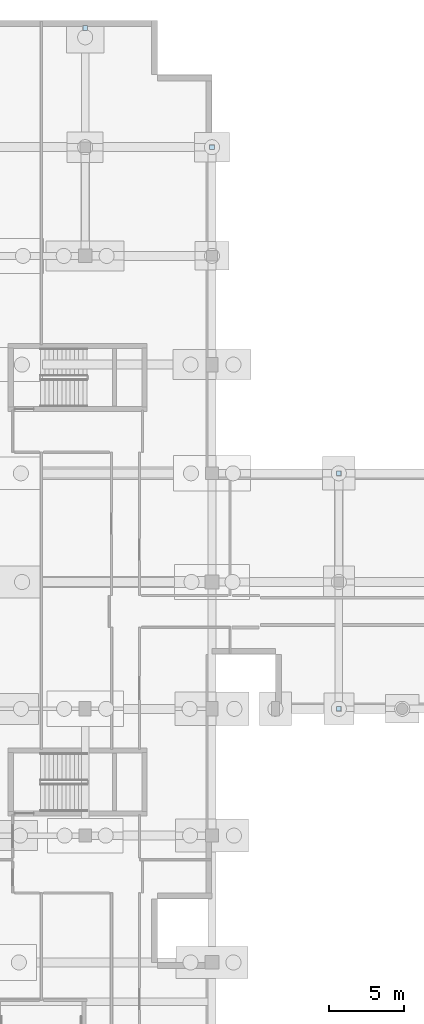
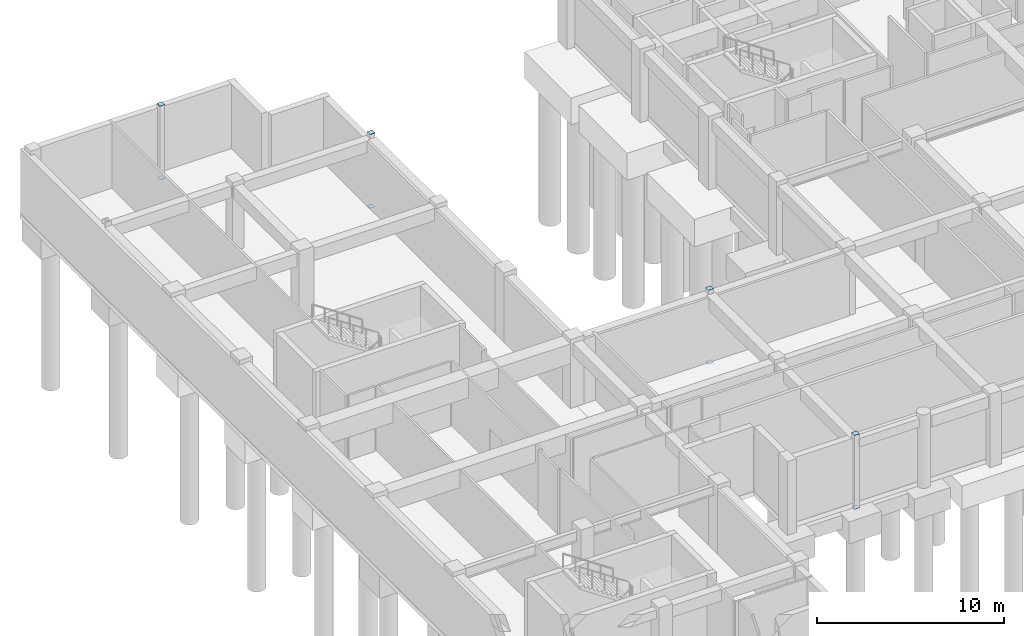
# One storey, part 24 of 42: 8 plates.
"""IFC4 building model written with IfcOpenShell, lengths in metres."""

from ifc_helpers import new_model, si_unit, direction, frame, origin, origin_2d, place, context, subcontext, project, spatial, rectangle, extrude, material, layer, layer_set, type_object, element, save


model = new_model("IFC4")

# Units and contexts
model_context = context("Model", 3, precision=1e-05, world=origin(), true_north=direction((0.0, 1.0)))
body_context = subcontext(model_context, "Body", "Model", "MODEL_VIEW")
ifc_project = project(units=[si_unit("LENGTHUNIT", "METRE"), si_unit("AREAUNIT", "SQUARE_METRE"), si_unit("VOLUMEUNIT", "CUBIC_METRE"), si_unit("PLANEANGLEUNIT", "RADIAN"), si_unit("MASSUNIT", "GRAM", prefix="KILO")], contexts=[model_context])

# Site, building, storey
site_placement = place(None, origin())
site = spatial("IfcSite", under=ifc_project, at=site_placement, CompositionType="ELEMENT")
building_placement = place(site_placement, origin())
building = spatial("IfcBuilding", under=site, at=building_placement, Name="Quendrovan Civic Courthouse", CompositionType="ELEMENT")
storey_placement = place(building_placement, frame((0.0, 0.0, -4.5)))
storey = spatial("IfcBuildingStorey", under=building, at=storey_placement, Name="B1", CompositionType="ELEMENT", Elevation=-4.5)

# Plates
ifc_material = material(Name="Steel ASTM A572 Grade 50", Category="steel")
ifc_layer = layer(ifc_material, 0.011962890625, Name="Steel ASTM A572 Grade 50")
ifc_layer_set = layer_set([ifc_layer], Name="Steel ASTM A572 Grade 50")
plate_type = type_object("IfcPlateType", Name="PLT-CAP-12", PredefinedType="SHEET", material=ifc_layer_set)
for number, where, z_axis, x_axis, name in (
    (1, (8.39990234375, 109.89990234375, 4.5), (0.0, 0.0, 1.0), (1.0, 0.0, 0.0), "B1 Hollow Column End Cap Plate COL-B1-2-Q-TOP"),
    (2, (8.39990234375, 109.89990234375, -0.31201171875), (0.0, 0.0, 1.0), (1.0, 0.0, 0.0), "B1 Hollow Column End Cap Plate COL-B1-2-Q-BOT"),
    (3, (16.800048828125, 102.0, 4.5), (0.0, 0.0, 1.0), (1.0, 0.0, 0.0), "B1 Hollow Column End Cap Plate COL-B1-3-P-TOP"),
    (4, (16.800048828125, 102.0, -0.31201171875), (0.0, 0.0, 1.0), (1.0, 0.0, 0.0), "B1 Hollow Column End Cap Plate COL-B1-3-P-BOT"),
    (5, (25.199951171875, 64.800048828125, 4.5), (0.0, 0.0, 1.0), (1.0, 0.0, 0.0), "B1 Hollow Column End Cap Plate COL-B1-4-J-TOP"),
    (6, (25.199951171875, 64.800048828125, -0.31201171875), (0.0, 0.0, 1.0), (1.0, 0.0, 0.0), "B1 Hollow Column End Cap Plate COL-B1-4-J-BOT"),
    (7, (25.199951171875, 80.39990234375, 4.5), (0.0, 0.0, 1.0), (1.0, 0.0, 0.0), "B1 Hollow Column End Cap Plate COL-B1-4-L-TOP"),
    (8, (25.199951171875, 80.39990234375, -0.31201171875), (0.0, 0.0, 1.0), (1.0, 0.0, 0.0), "B1 Hollow Column End Cap Plate COL-B1-4-L-BOT"),
):
    element("IfcPlate", number, at=place(storey_placement, frame(where, z_axis=z_axis, x_axis=x_axis)), inside=storey, type_object=plate_type, Name=name, PredefinedType="SHEET", context=body_context, shape_type="SweptSolid", body=[
        extrude(rectangle(XDim=0.320068359375, YDim=0.320068359375, at=origin_2d()), origin(), (0.0, 0.0, 1.0), 0.011962890625),
    ])

save(model, "model.ifc")
